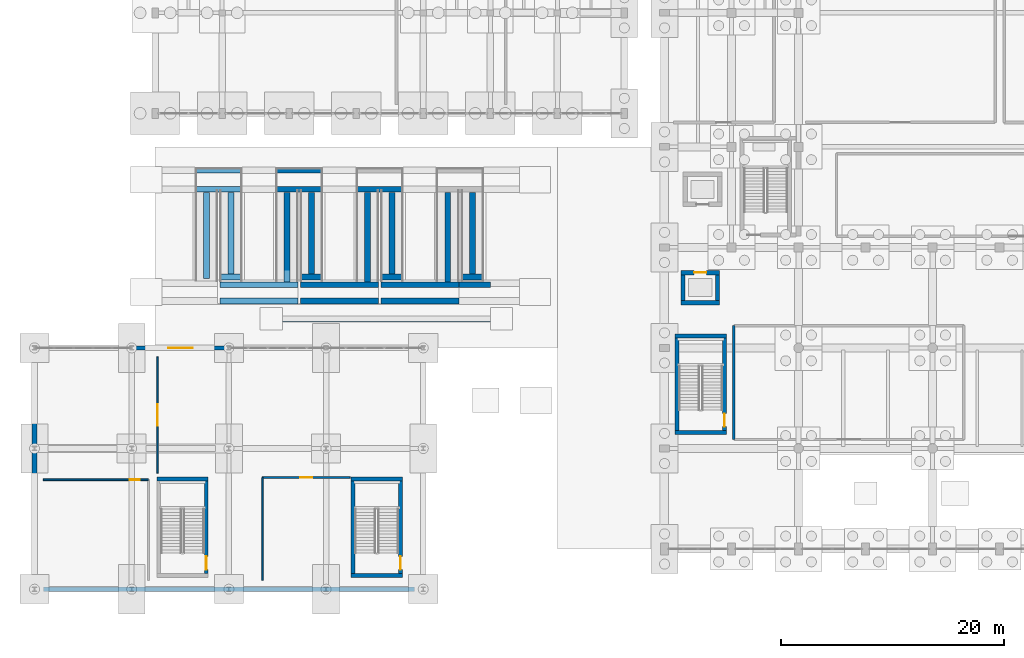
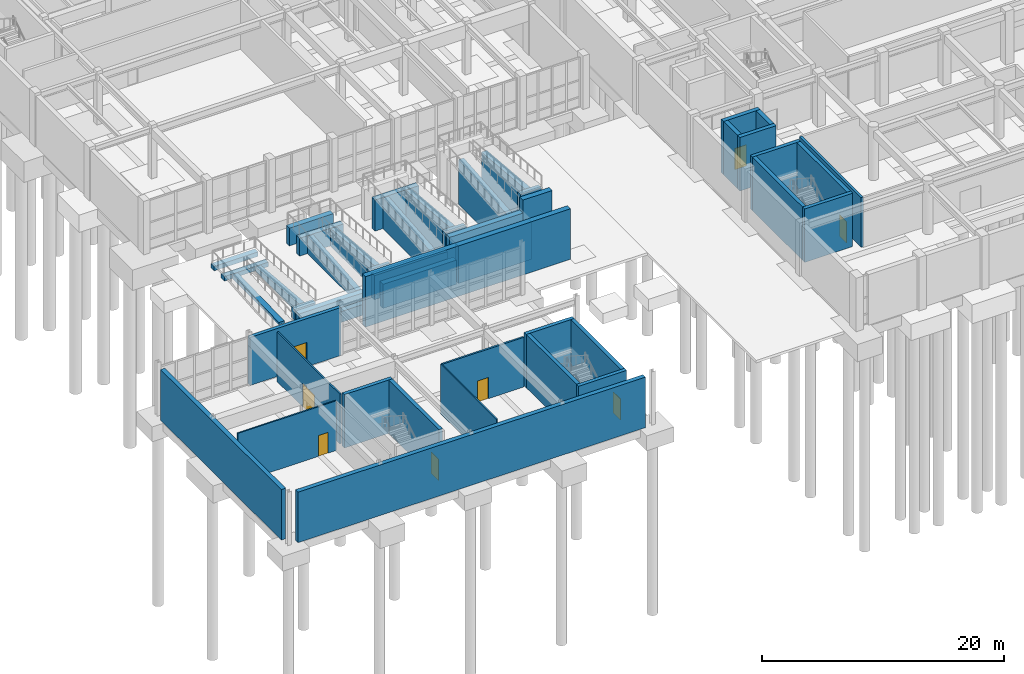
# One storey, part 47 of 69: 47 walls, 8 doors, 8 openings.
"""IFC4 building model written with IfcOpenShell, lengths in metres."""

from ifc_helpers import new_model, si_unit, direction, frame, frame_2d, origin, place, context, subcontext, project, spatial, polyline, rectangle, outline, extrude, material, layer, layer_set, type_object, element, fill, save


model = new_model("IFC4")

# Units and contexts
model_context = context("Model", 3, precision=1e-05, world=origin(), true_north=direction((0.0, 1.0)))
body_context = subcontext(model_context, "Body", "Model", "MODEL_VIEW")
ifc_project = project(units=[si_unit("LENGTHUNIT", "METRE"), si_unit("AREAUNIT", "SQUARE_METRE"), si_unit("VOLUMEUNIT", "CUBIC_METRE"), si_unit("PLANEANGLEUNIT", "RADIAN"), si_unit("MASSUNIT", "GRAM", prefix="KILO")], contexts=[model_context])

# Site, building, storey
site_placement = place(None, origin())
site = spatial("IfcSite", under=ifc_project, at=site_placement, CompositionType="ELEMENT")
building_placement = place(site_placement, origin())
building = spatial("IfcBuilding", under=site, at=building_placement, Name="Vaelkrest Opera House", CompositionType="ELEMENT")
storey_placement = place(building_placement, frame((0.0, 0.0, -5.39990234375)))
storey = spatial("IfcBuildingStorey", under=building, at=storey_placement, Name="B1", CompositionType="ELEMENT", Elevation=-5.39990234375)

# Wall, opening, door
ifc_material_1 = material(Name="American black walnut acoustic timber", Category="wood")
ifc_layer_1 = layer(ifc_material_1, 0.3349609375)
ifc_layer_set_1 = layer_set([ifc_layer_1], Name="American black walnut acoustic timber")
wall_type_1 = type_object("IfcWallType", Name="EW05", PredefinedType="STANDARD", material=ifc_layer_set_1)
wall_1_placement = place(storey_placement, frame((-77.68994140625, -37.800048828125, 0.0), z_axis=(0.0, 0.0, 1.0), x_axis=(1.0, 0.0, 0.0)))
wall_1 = element("IfcWall", 1, at=wall_1_placement, inside=storey, type_object=wall_type_1, Name="Exterior facade wall EW-V5-B1-0355", PredefinedType="STANDARD", context=body_context, shape_type="SweptSolid", body=[
    extrude(rectangle(XDim=8.679931640625, YDim=0.3349609375, at=frame_2d((4.33984375, 0.0))), origin(), (0.0, 0.0, 1.0), 4.849853515625),
])
opening_1_placement = place(wall_1_placement, frame((3.239990234375, 0.0, 0.0)))
opening_1 = element("IfcOpeningElement", 2, at=opening_1_placement, cuts=wall_1, Name="Opening BD-V5-01", PredefinedType="OPENING", context=body_context, shape_type="SweptSolid", body=[
    extrude(rectangle(XDim=2.199951171875, YDim=2.449951171875, at=frame_2d((1.10009765625, 1.22509765625))), frame((0.0, 0.177490234375, 0.0), z_axis=(0.0, -1.0, 0.0), x_axis=(1.0, 0.0, 0.0)), (0.0, 0.0, 1.0), 0.35498046875),
])
ifc_material_2 = material(Name="Dark bronze anodized aluminium", Category="aluminium")
door_type_1 = type_object("IfcDoorType", Name="EDT03", OperationType="DOUBLE_DOOR_SINGLE_SWING", PredefinedType="DOOR", material=ifc_material_2)
door_1_placement = place(opening_1_placement, origin())
door_1 = element("IfcDoor", 3, at=door_1_placement, inside=storey, type_object=door_type_1, Name="Exterior exit door BD-V5-01", OperationType="DOUBLE_DOOR_SINGLE_SWING", OverallHeight=2.449951171875, OverallWidth=2.199951171875, PredefinedType="DOOR", context=body_context, shape_type="SweptSolid", body=[
    extrude(rectangle(XDim=2.199951171875, YDim=2.449951171875, at=frame_2d((1.10009765625, 1.22509765625))), frame((0.0, 0.02490234375, 0.0), z_axis=(0.0, -1.0, 0.0), x_axis=(1.0, 0.0, 0.0)), (0.0, 0.0, 1.0), 0.050048828125),
])
fill(opening_1, door_1)

# Wall
ifc_material_3 = material(Name="Gypsum acoustic board", Category="gypsum")
ifc_layer_2 = layer(ifc_material_3, 0.1201171875)
ifc_layer_set_2 = layer_set([ifc_layer_2], Name="Gypsum acoustic board")
wall_type_2 = type_object("IfcWallType", Name="PT01", PredefinedType="PARTITIONING", material=ifc_layer_set_2)
wall_2_placement = place(storey_placement, frame((-66.0, -58.60009765625, 0.0), z_axis=(0.0, 0.0, 1.0), x_axis=(0.0, 1.0, 0.0)))
element("IfcWall", 4, at=wall_2_placement, inside=storey, type_object=wall_type_2, Name="Interior partition PT-V5-B1-0407", PredefinedType="PARTITIONING", context=body_context, shape_type="SweptSolid", body=[
    extrude(rectangle(XDim=9.2001953125, YDim=0.1201171875, at=frame_2d((4.60009765625, 0.0))), origin(), (0.0, 0.0, 1.0), 5.02001953125),
])

# Wall, opening, door
ifc_layer_3 = layer(ifc_material_3, 0.135009765625)
ifc_layer_set_3 = layer_set([ifc_layer_3], Name="Gypsum acoustic board")
wall_type_3 = type_object("IfcWallType", Name="PT02", PredefinedType="PARTITIONING", material=ifc_layer_set_3)
wall_3_placement = place(storey_placement, frame((-85.60009765625, -49.60009765625, 0.0), z_axis=(0.0, 0.0, 1.0), x_axis=(1.0, 0.0, 0.0)))
wall_3 = element("IfcWall", 5, at=wall_3_placement, inside=storey, type_object=wall_type_3, Name="Interior partition PT-V5-B1-0408", PredefinedType="PARTITIONING", context=body_context, shape_type="SweptSolid", body=[
    extrude(rectangle(XDim=9.400146484375, YDim=0.135009765625, at=frame_2d((4.7001953125, 0.0))), origin(), (0.0, 0.0, 1.0), 5.02001953125),
])
opening_2_placement = place(wall_3_placement, frame((7.717041015625, 0.0, 0.0)))
opening_2 = element("IfcOpeningElement", 6, at=opening_2_placement, cuts=wall_3, Name="Opening D171", PredefinedType="OPENING", context=body_context, shape_type="SweptSolid", body=[
    extrude(rectangle(XDim=0.89990234375, YDim=2.10009765625, at=frame_2d((0.449951171875, 1.050048828125))), frame((0.0, 0.077392578125, 0.0), z_axis=(0.0, -1.0, 0.0), x_axis=(1.0, 0.0, 0.0)), (0.0, 0.0, 1.0), 0.155029296875),
])
door_type_2 = type_object("IfcDoorType", Name="DT01", OperationType="NOTDEFINED", PredefinedType="DOOR", material=ifc_material_1)
door_2_placement = place(opening_2_placement, origin())
door_2 = element("IfcDoor", 7, at=door_2_placement, inside=storey, type_object=door_type_2, Name="Interior door D171 (Accessible Washroom)", OperationType="SINGLE_SWING_RIGHT", OverallHeight=2.10009765625, OverallWidth=0.89990234375, PredefinedType="DOOR", context=body_context, shape_type="SweptSolid", body=[
    extrude(rectangle(XDim=0.89990234375, YDim=2.10009765625, at=frame_2d((0.449951171875, 1.050048828125))), frame((0.0, 0.02490234375, 0.0), z_axis=(0.0, -1.0, 0.0), x_axis=(1.0, 0.0, 0.0)), (0.0, 0.0, 1.0), 0.050048828125),
])
fill(opening_2, door_2)

# Wall
ifc_layer_4 = layer(ifc_material_1, 0.22509765625)
ifc_layer_set_4 = layer_set([ifc_layer_4], Name="American black walnut acoustic timber")
wall_type_4 = type_object("IfcWallType", Name="PT08", PredefinedType="PARTITIONING", material=ifc_layer_set_4)
wall_4_placement = place(storey_placement, frame((-23.800048828125, -46.0, 0.0), z_axis=(0.0, 0.0, 1.0), x_axis=(0.0, 1.0, 0.0)))
element("IfcWall", 8, at=wall_4_placement, inside=storey, type_object=wall_type_4, Name="Interior partition PT-V1-B1-0008", PredefinedType="PARTITIONING", context=body_context, shape_type="SweptSolid", body=[
    extrude(rectangle(XDim=10.199951171875, YDim=0.22509765625, at=frame_2d((5.10009765625, 0.0))), origin(), (0.0, 0.0, 1.0), 5.02001953125),
])

# Wall, opening, door
ifc_layer_5 = layer(ifc_material_3, 0.14501953125)
ifc_layer_set_5 = layer_set([ifc_layer_5], Name="Gypsum acoustic board")
wall_type_5 = type_object("IfcWallType", Name="PT13", PredefinedType="PARTITIONING", material=ifc_layer_set_5)
wall_5_placement = place(storey_placement, frame((-75.39990234375, -49.0, 0.0), z_axis=(0.0, 0.0, 1.0), x_axis=(0.0, 1.0, 0.0)))
wall_5 = element("IfcWall", 9, at=wall_5_placement, inside=storey, type_object=wall_type_5, Name="Interior partition PT-V5-B1-0405", PredefinedType="PARTITIONING", context=body_context, shape_type="SweptSolid", body=[
    extrude(rectangle(XDim=10.39990234375, YDim=0.14501953125, at=frame_2d((5.199951171875, 0.0))), origin(), (0.0, 0.0, 1.0), 5.02001953125),
])
opening_3_placement = place(wall_5_placement, frame((4.239990234375, 0.0, 0.0)))
opening_3 = element("IfcOpeningElement", 10, at=opening_3_placement, cuts=wall_5, Name="Opening D169", PredefinedType="OPENING", context=body_context, shape_type="SweptSolid", body=[
    extrude(rectangle(XDim=1.919921875, YDim=2.39990234375, at=frame_2d((0.9599609375, 1.199951171875))), frame((0.0, 0.08251953125, 0.0), z_axis=(0.0, -1.0, 0.0), x_axis=(1.0, 0.0, 0.0)), (0.0, 0.0, 1.0), 0.1650390625),
])
door_type_3 = type_object("IfcDoorType", Name="DT25", OperationType="DOUBLE_DOOR_SINGLE_SWING", PredefinedType="DOOR", material=ifc_material_1)
door_3_placement = place(opening_3_placement, origin())
door_3 = element("IfcDoor", 11, at=door_3_placement, inside=storey, type_object=door_type_3, Name="Interior door D169 (Metro Concourse Foyer)", OperationType="DOUBLE_DOOR_SINGLE_SWING", OverallHeight=2.39990234375, OverallWidth=1.919921875, PredefinedType="DOOR", context=body_context, shape_type="SweptSolid", body=[
    extrude(rectangle(XDim=1.919921875, YDim=2.39990234375, at=frame_2d((0.9599609375, 1.199951171875))), frame((0.0, 0.02490234375, 0.0), z_axis=(0.0, -1.0, 0.0), x_axis=(1.0, 0.0, 0.0)), (0.0, 0.0, 1.0), 0.050048828125),
])
fill(opening_3, door_3)

ifc_layer_6 = layer(ifc_material_1, 0.175048828125)
ifc_layer_set_6 = layer_set([ifc_layer_6], Name="American black walnut acoustic timber")
wall_type_6 = type_object("IfcWallType", Name="PT14", PredefinedType="PARTITIONING", material=ifc_layer_set_6)
wall_6_placement = place(storey_placement, frame((-66.0, -49.39990234375, 0.0), z_axis=(0.0, 0.0, 1.0), x_axis=(1.0, 0.0, 0.0)))
wall_6 = element("IfcWall", 12, at=wall_6_placement, inside=storey, type_object=wall_type_6, Name="Interior partition PT-V5-B1-0406", PredefinedType="PARTITIONING", context=body_context, shape_type="SweptSolid", body=[
    extrude(rectangle(XDim=7.85009765625, YDim=0.175048828125, at=frame_2d((3.925048828125, 0.0))), origin(), (0.0, 0.0, 1.0), 5.02001953125),
])
opening_4_placement = place(wall_6_placement, frame((3.39501953125, 0.0, 0.0)))
opening_4 = element("IfcOpeningElement", 13, at=opening_4_placement, cuts=wall_6, Name="Opening D170", PredefinedType="OPENING", context=body_context, shape_type="SweptSolid", body=[
    extrude(rectangle(XDim=1.06005859375, YDim=2.14990234375, at=frame_2d((0.530029296875, 1.074951171875))), frame((0.0, 0.097412109375, 0.0), z_axis=(0.0, -1.0, 0.0), x_axis=(1.0, 0.0, 0.0)), (0.0, 0.0, 1.0), 0.195068359375),
])
door_type_4 = type_object("IfcDoorType", Name="DT05", OperationType="NOTDEFINED", PredefinedType="DOOR", material=ifc_material_1)
door_4_placement = place(opening_4_placement, origin())
door_4 = element("IfcDoor", 14, at=door_4_placement, inside=storey, type_object=door_type_4, Name="Interior door D170 (Box Office)", OperationType="SINGLE_SWING_LEFT", OverallHeight=2.14990234375, OverallWidth=1.06005859375, PredefinedType="DOOR", context=body_context, shape_type="SweptSolid", body=[
    extrude(rectangle(XDim=1.06005859375, YDim=2.14990234375, at=frame_2d((0.530029296875, 1.074951171875))), frame((0.0, 0.02490234375, 0.0), z_axis=(0.0, -1.0, 0.0), x_axis=(1.0, 0.0, 0.0)), (0.0, 0.0, 1.0), 0.050048828125),
])
fill(opening_4, door_4)

# Walls
ifc_material_4 = material(Name="Concrete C40/50", Category="concrete")
ifc_layer_7 = layer(ifc_material_4, 0.419921875)
ifc_layer_set_7 = layer_set([ifc_layer_7], Name="Concrete C40/50")
wall_type_7 = type_object("IfcWallType", Name="RW01", PredefinedType="USERDEFINED", material=ifc_layer_set_7)
wall_7_placement = place(storey_placement, frame((-86.39990234375, -58.60009765625, 0.0), z_axis=(0.0, 0.0, 1.0), x_axis=(0.0, 1.0, 0.0)))
element("IfcWall", 15, at=wall_7_placement, inside=storey, type_object=wall_type_7, Name="Retaining wall RW-V5-W", ObjectType="RETAINING WALL", PredefinedType="USERDEFINED", context=body_context, shape_type="SweptSolid", body=[
    extrude(rectangle(XDim=20.0, YDim=0.419921875, at=frame_2d((10.0, 0.0))), origin(), (0.0, 0.0, 1.0), 5.10986328125),
])
wall_8_placement = place(storey_placement, frame((-85.60009765625, -59.39990234375, 0.0), z_axis=(0.0, 0.0, 1.0), x_axis=(1.0, 0.0, 0.0)))
element("IfcWall", 16, at=wall_8_placement, inside=storey, type_object=wall_type_7, Name="Retaining wall RW-V5-S", ObjectType="RETAINING WALL", PredefinedType="USERDEFINED", context=body_context, shape_type="SweptSolid", body=[
    extrude(rectangle(XDim=33.2001953125, YDim=0.419921875, at=frame_2d((16.60009765625, 0.0))), origin(), (0.0, 0.0, 1.0), 5.10986328125),
])
ifc_material_5 = material(Name="Concrete C50/60", Category="concrete")
ifc_layer_8 = layer(ifc_material_5, 0.35009765625)
ifc_layer_set_8 = layer_set([ifc_layer_8], Name="Concrete C50/60")
wall_type_8 = type_object("IfcWallType", Name="SW01", PredefinedType="SHEAR", material=ifc_layer_set_8)
wall_9_placement = place(storey_placement, frame((-24.449951171875, -45.375, 0.0), z_axis=(0.0, 0.0, 1.0), x_axis=(-1.0, 0.0, 0.0)))
element("IfcWall", 17, at=wall_9_placement, inside=storey, type_object=wall_type_8, Name="Stair core ST03 wall B1 S", PredefinedType="SHEAR", context=body_context, shape_type="SweptSolid", body=[
    extrude(rectangle(XDim=4.60009765625, YDim=0.35009765625, at=frame_2d((2.300048828125, 0.0))), origin(), (0.0, 0.0, 1.0), 5.39990234375),
])
wall_10_placement = place(storey_placement, frame((-28.875, -45.199951171875, 0.0), z_axis=(0.0, 0.0, 1.0), x_axis=(0.0, 1.0, 0.0)))
element("IfcWall", 18, at=wall_10_placement, inside=storey, type_object=wall_type_8, Name="Stair core ST03 wall B1 W", PredefinedType="SHEAR", context=body_context, shape_type="SweptSolid", body=[
    extrude(rectangle(XDim=8.300048828125, YDim=0.35009765625, at=frame_2d((4.14990234375, 0.0))), origin(), (0.0, 0.0, 1.0), 5.39990234375),
])
wall_11_placement = place(storey_placement, frame((-29.050048828125, -36.72509765625, 0.0), z_axis=(0.0, 0.0, 1.0), x_axis=(1.0, 0.0, 0.0)))
element("IfcWall", 19, at=wall_11_placement, inside=storey, type_object=wall_type_8, Name="Stair core ST03 wall B1 N", PredefinedType="SHEAR", context=body_context, shape_type="SweptSolid", body=[
    extrude(rectangle(XDim=4.60009765625, YDim=0.35009765625, at=frame_2d((2.300048828125, 0.0))), origin(), (0.0, 0.0, 1.0), 5.39990234375),
])

# Wall, opening, door
wall_12_placement = place(storey_placement, frame((-24.625, -36.89990234375, 0.0), z_axis=(0.0, 0.0, 1.0), x_axis=(0.0, -1.0, 0.0)))
wall_12 = element("IfcWall", 20, at=wall_12_placement, inside=storey, type_object=wall_type_8, Name="Stair core ST03 wall B1 E", PredefinedType="SHEAR", context=body_context, shape_type="SweptSolid", body=[
    extrude(rectangle(XDim=8.300048828125, YDim=0.35009765625, at=frame_2d((4.14990234375, 0.0))), origin(), (0.0, 0.0, 1.0), 5.39990234375),
])
opening_5_placement = place(wall_12_placement, frame((6.77001953125, 0.0, 0.0)))
opening_5 = element("IfcOpeningElement", 21, at=opening_5_placement, cuts=wall_12, Name="Opening SD-ST03-B1", PredefinedType="OPENING", context=body_context, shape_type="SweptSolid", body=[
    extrude(rectangle(XDim=1.179931640625, YDim=2.14990234375, at=frame_2d((0.58984375, 1.074951171875))), frame((0.0, 0.18505859375, 0.0), z_axis=(0.0, -1.0, 0.0), x_axis=(1.0, 0.0, 0.0)), (0.0, 0.0, 1.0), 0.3701171875),
])
door_type_5 = type_object("IfcDoorType", Name="DT07", OperationType="NOTDEFINED", PredefinedType="DOOR", material=ifc_material_1)
door_5_placement = place(opening_5_placement, origin())
door_5 = element("IfcDoor", 22, at=door_5_placement, inside=storey, type_object=door_type_5, Name="Protected stair door SD-ST03-B1", OperationType="SINGLE_SWING_RIGHT", OverallHeight=2.14990234375, OverallWidth=1.179931640625, PredefinedType="DOOR", context=body_context, shape_type="SweptSolid", body=[
    extrude(rectangle(XDim=1.179931640625, YDim=2.14990234375, at=frame_2d((0.58984375, 1.074951171875))), frame((0.0, 0.02490234375, 0.0), z_axis=(0.0, -1.0, 0.0), x_axis=(1.0, 0.0, 0.0)), (0.0, 0.0, 1.0), 0.050048828125),
])
fill(opening_5, door_5)

# Wall
wall_13_placement = place(storey_placement, frame((-75.449951171875, -49.52490234375, 0.0), z_axis=(0.0, 0.0, 1.0), x_axis=(1.0, 0.0, 0.0)))
element("IfcWall", 23, at=wall_13_placement, inside=storey, type_object=wall_type_8, Name="Stair core ST11 wall B1 N", PredefinedType="SHEAR", context=body_context, shape_type="SweptSolid", body=[
    extrude(rectangle(XDim=4.599853515625, YDim=0.35009765625, at=frame_2d((2.2998046875, 0.0))), origin(), (0.0, 0.0, 1.0), 5.39990234375),
])

# Wall, opening, door
wall_14_placement = place(storey_placement, frame((-71.02490234375, -49.699951171875, 0.0), z_axis=(0.0, 0.0, 1.0), x_axis=(0.0, -1.0, 0.0)))
wall_14 = element("IfcWall", 24, at=wall_14_placement, inside=storey, type_object=wall_type_8, Name="Stair core ST11 wall B1 E", PredefinedType="SHEAR", context=body_context, shape_type="SweptSolid", body=[
    extrude(rectangle(XDim=8.300048828125, YDim=0.35009765625, at=frame_2d((4.14990234375, 0.0))), origin(), (0.0, 0.0, 1.0), 5.39990234375),
])
opening_6_placement = place(wall_14_placement, frame((6.77001953125, 0.0, 0.0)))
opening_6 = element("IfcOpeningElement", 25, at=opening_6_placement, cuts=wall_14, Name="Opening SD-ST11-B1", PredefinedType="OPENING", context=body_context, shape_type="SweptSolid", body=[
    extrude(rectangle(XDim=1.179931640625, YDim=2.14990234375, at=frame_2d((0.58984375, 1.074951171875))), frame((0.0, 0.18505859375, 0.0), z_axis=(0.0, -1.0, 0.0), x_axis=(1.0, 0.0, 0.0)), (0.0, 0.0, 1.0), 0.3701171875),
])
door_6_placement = place(opening_6_placement, origin())
door_6 = element("IfcDoor", 26, at=door_6_placement, inside=storey, type_object=door_type_5, Name="Protected stair door SD-ST11-B1", OperationType="SINGLE_SWING_RIGHT", OverallHeight=2.14990234375, OverallWidth=1.179931640625, PredefinedType="DOOR", context=body_context, shape_type="SweptSolid", body=[
    extrude(rectangle(XDim=1.179931640625, YDim=2.14990234375, at=frame_2d((0.58984375, 1.074951171875))), frame((0.0, 0.02490234375, 0.0), z_axis=(0.0, -1.0, 0.0), x_axis=(1.0, 0.0, 0.0)), (0.0, 0.0, 1.0), 0.050048828125),
])
fill(opening_6, door_6)

# Walls
wall_15_placement = place(storey_placement, frame((-53.449951171875, -58.175048828125, 0.0), z_axis=(0.0, 0.0, 1.0), x_axis=(-1.0, 0.0, 0.0)))
element("IfcWall", 27, at=wall_15_placement, inside=storey, type_object=wall_type_8, Name="Stair core ST12 wall B1 S", PredefinedType="SHEAR", context=body_context, shape_type="SweptSolid", body=[
    extrude(rectangle(XDim=4.60009765625, YDim=0.35009765625, at=frame_2d((2.300048828125, 0.0))), origin(), (0.0, 0.0, 1.0), 5.39990234375),
])
wall_16_placement = place(storey_placement, frame((-57.875, -58.0, 0.0), z_axis=(0.0, 0.0, 1.0), x_axis=(0.0, 1.0, 0.0)))
element("IfcWall", 28, at=wall_16_placement, inside=storey, type_object=wall_type_8, Name="Stair core ST12 wall B1 W", PredefinedType="SHEAR", context=body_context, shape_type="SweptSolid", body=[
    extrude(rectangle(XDim=8.300048828125, YDim=0.35009765625, at=frame_2d((4.14990234375, 0.0))), origin(), (0.0, 0.0, 1.0), 5.39990234375),
])
wall_17_placement = place(storey_placement, frame((-58.050048828125, -49.52490234375, 0.0), z_axis=(0.0, 0.0, 1.0), x_axis=(1.0, 0.0, 0.0)))
element("IfcWall", 29, at=wall_17_placement, inside=storey, type_object=wall_type_8, Name="Stair core ST12 wall B1 N", PredefinedType="SHEAR", context=body_context, shape_type="SweptSolid", body=[
    extrude(rectangle(XDim=4.60009765625, YDim=0.35009765625, at=frame_2d((2.300048828125, 0.0))), origin(), (0.0, 0.0, 1.0), 5.39990234375),
])

# Wall, opening, door
wall_18_placement = place(storey_placement, frame((-53.625, -49.699951171875, 0.0), z_axis=(0.0, 0.0, 1.0), x_axis=(0.0, -1.0, 0.0)))
wall_18 = element("IfcWall", 30, at=wall_18_placement, inside=storey, type_object=wall_type_8, Name="Stair core ST12 wall B1 E", PredefinedType="SHEAR", context=body_context, shape_type="SweptSolid", body=[
    extrude(rectangle(XDim=8.300048828125, YDim=0.35009765625, at=frame_2d((4.14990234375, 0.0))), origin(), (0.0, 0.0, 1.0), 5.39990234375),
])
opening_7_placement = place(wall_18_placement, frame((6.77001953125, 0.0, 0.0)))
opening_7 = element("IfcOpeningElement", 31, at=opening_7_placement, cuts=wall_18, Name="Opening SD-ST12-B1", PredefinedType="OPENING", context=body_context, shape_type="SweptSolid", body=[
    extrude(rectangle(XDim=1.179931640625, YDim=2.14990234375, at=frame_2d((0.58984375, 1.074951171875))), frame((0.0, 0.18505859375, 0.0), z_axis=(0.0, -1.0, 0.0), x_axis=(1.0, 0.0, 0.0)), (0.0, 0.0, 1.0), 0.3701171875),
])
door_7_placement = place(opening_7_placement, origin())
door_7 = element("IfcDoor", 32, at=door_7_placement, inside=storey, type_object=door_type_5, Name="Protected stair door SD-ST12-B1", OperationType="SINGLE_SWING_LEFT", OverallHeight=2.14990234375, OverallWidth=1.179931640625, PredefinedType="DOOR", context=body_context, shape_type="SweptSolid", body=[
    extrude(rectangle(XDim=1.179931640625, YDim=2.14990234375, at=frame_2d((0.58984375, 1.074951171875))), frame((0.0, 0.02490234375, 0.0), z_axis=(0.0, -1.0, 0.0), x_axis=(1.0, 0.0, 0.0)), (0.0, 0.0, 1.0), 0.050048828125),
])
fill(opening_7, door_7)

# Wall
ifc_layer_9 = layer(ifc_material_5, 0.389892578125)
ifc_layer_set_9 = layer_set([ifc_layer_9], Name="Concrete C50/60")
wall_type_9 = type_object("IfcWallType", Name="SW02", PredefinedType="SHEAR", material=ifc_layer_set_9)
wall_19_placement = place(storey_placement, frame((-25.06005859375, -33.7451171875, 0.0), z_axis=(0.0, 0.0, 1.0), x_axis=(-1.0, 0.0, 0.0)))
element("IfcWall", 33, at=wall_19_placement, inside=storey, type_object=wall_type_9, Name="Lift shaft LP03 wall B1 S", PredefinedType="SHEAR", context=body_context, shape_type="SweptSolid", body=[
    extrude(rectangle(XDim=3.47998046875, YDim=0.389892578125, at=frame_2d((1.739990234375, 0.0))), origin(), (0.0, 0.0, 1.0), 5.39990234375),
])

# Wall, opening, door
wall_20_placement = place(storey_placement, frame((-28.5400390625, -31.054931640625, 0.0), z_axis=(0.0, 0.0, 1.0), x_axis=(1.0, 0.0, 0.0)))
wall_20 = element("IfcWall", 34, at=wall_20_placement, inside=storey, type_object=wall_type_9, Name="Lift shaft LP03 wall B1 N", PredefinedType="SHEAR", context=body_context, shape_type="SweptSolid", body=[
    extrude(rectangle(XDim=3.47998046875, YDim=0.389892578125, at=frame_2d((1.739990234375, 0.0))), origin(), (0.0, 0.0, 1.0), 5.39990234375),
])
opening_8_placement = place(wall_20_placement, frame((1.18994140625, 0.0, 0.0)))
opening_8 = element("IfcOpeningElement", 35, at=opening_8_placement, cuts=wall_20, Name="Opening LD-LP03-B1", PredefinedType="OPENING", context=body_context, shape_type="SweptSolid", body=[
    extrude(rectangle(XDim=1.10009765625, YDim=2.14990234375, at=frame_2d((0.550048828125, 1.074951171875))), frame((0.0, 0.204833984375, 0.0), z_axis=(0.0, -1.0, 0.0), x_axis=(1.0, 0.0, 0.0)), (0.0, 0.0, 1.0), 0.409912109375),
])
door_type_6 = type_object("IfcDoorType", Name="LDT01", OperationType="SLIDING_TO_LEFT", PredefinedType="DOOR", material=ifc_material_2)
door_8_placement = place(opening_8_placement, origin())
door_8 = element("IfcDoor", 36, at=door_8_placement, inside=storey, type_object=door_type_6, Name="Lift landing sliding door LD-LP03-B1", OperationType="SLIDING_TO_LEFT", OverallHeight=2.14990234375, OverallWidth=1.10009765625, PredefinedType="DOOR", context=body_context, shape_type="SweptSolid", body=[
    extrude(rectangle(XDim=1.10009765625, YDim=2.14990234375, at=frame_2d((0.550048828125, 1.074951171875))), frame((0.0, 0.02490234375, 0.0), z_axis=(0.0, -1.0, 0.0), x_axis=(1.0, 0.0, 0.0)), (0.0, 0.0, 1.0), 0.050048828125),
])
fill(opening_8, door_8)

# Walls
for number, where, z_axis, x_axis, name in (
    (37, (-28.344970703125, -33.550048828125, 0.0), (0.0, 0.0, 1.0), (0.0, 1.0, 0.0), "Lift shaft LP03 wall B1 W"),
    (38, (-25.2548828125, -31.25, 0.0), (0.0, 0.0, 1.0), (0.0, -1.0, 0.0), "Lift shaft LP03 wall B1 E"),
):
    element("IfcWall", number, at=place(storey_placement, frame(where, z_axis=z_axis, x_axis=x_axis)), inside=storey, type_object=wall_type_9, Name=name, PredefinedType="SHEAR", context=body_context, shape_type="SweptSolid", body=[
        extrude(rectangle(XDim=2.300048828125, YDim=0.389892578125, at=frame_2d((1.14990234375, 0.0))), origin(), (0.0, 0.0, 1.0), 5.39990234375),
    ])
ifc_layer_10 = layer(ifc_material_5, 0.52001953125)
ifc_layer_set_10 = layer_set([ifc_layer_10], Name="Concrete C50/60")
wall_type_10 = type_object("IfcWallType", Name="SW04", PredefinedType="SHEAR", material=ifc_layer_set_10)
wall_21_placement = place(storey_placement, frame((-48.39990234375, -32.14990234375, 0.0), z_axis=(0.0, 0.0, 1.0), x_axis=(1.0, 0.0, 0.0)))
element("IfcWall", 39, at=wall_21_placement, inside=storey, type_object=wall_type_10, Name="Ramp arrival north bearing wall", PredefinedType="SHEAR", context=body_context, shape_type="SweptSolid", body=[
    extrude(rectangle(XDim=2.7998046875, YDim=0.52001953125, at=frame_2d((1.39990234375, 0.0))), origin(), (0.0, 0.0, 1.0), 5.10498046875),
])
wall_22_placement = place(storey_placement, frame((-65.199951171875, -35.199951171875, 0.0), z_axis=(0.0, 0.0, 1.0), x_axis=(1.0, 0.0, 0.0)))
element("IfcWall", 40, at=wall_22_placement, inside=storey, type_object=wall_type_10, Name="Ramp arrival south bearing wall", PredefinedType="SHEAR", context=body_context, shape_type="SweptSolid", body=[
    extrude(rectangle(XDim=19.599853515625, YDim=0.52001953125, at=frame_2d((9.7998046875, 0.0))), origin(), (0.0, 0.0, 1.0), 5.10498046875),
])
wall_23_placement = place(storey_placement, frame((-69.800048828125, -31.449951171875, 0.0), z_axis=(0.0, 0.0, 1.0), x_axis=(1.0, 0.0, 0.0)))
element("IfcWall", 41, at=wall_23_placement, inside=storey, type_object=wall_type_10, Name="Ramp upper south support wall RMP-FC-1", PredefinedType="SHEAR", context=body_context, shape_type="SweptSolid", body=[
    extrude(rectangle(XDim=2.0, YDim=0.52001953125, at=frame_2d((1.0, 0.0))), origin(), (0.0, 0.0, 1.0), 1.114990234375),
])
for number, where, z_axis, x_axis, name in (
    (42, (-72.0, -23.60009765625, 0.0), (0.0, 0.0, 1.0), (1.0, 0.0, 0.0), "Ramp mid north support wall RMP-FC-1"),
    (43, (-72.0, -21.89990234375, 0.0), (0.0, 0.0, 1.0), (1.0, 0.0, 0.0), "Ramp mid far support wall RMP-FC-1"),
):
    element("IfcWall", number, at=place(storey_placement, frame(where, z_axis=z_axis, x_axis=x_axis)), inside=storey, type_object=wall_type_10, Name=name, PredefinedType="SHEAR", context=body_context, shape_type="SweptSolid", body=[
        extrude(rectangle(XDim=4.199951171875, YDim=0.52001953125, at=frame_2d((2.10009765625, 0.0))), origin(), (0.0, 0.0, 1.0), 0.449951171875),
    ])
wall_24_placement = place(storey_placement, frame((-71.0, -31.60009765625, 0.0), z_axis=(0.0, 0.0, 1.0), x_axis=(0.0, 1.0, 0.0)))
element("IfcWall", 44, at=wall_24_placement, inside=storey, type_object=wall_type_10, Name="Ramp flight 1 sloped stem wall RMP-FC-1", PredefinedType="SHEAR", context=body_context, shape_type="SweptSolid", body=[
    extrude(outline(polyline([(0.0, 0.0), (7.7001953125, 0.0), (7.699951171875, 0.43994140625), (0.0, 0.25), (0.0, 0.0)])), frame((0.0, 0.260009765625, 0.0), z_axis=(0.0, -1.0, 0.0), x_axis=(1.0, 0.0, 0.0)), (0.0, 0.0, 1.0), 0.52001953125),
])
wall_25_placement = place(storey_placement, frame((-68.800048828125, -23.89990234375, 0.0), z_axis=(0.0, 0.0, 1.0), x_axis=(0.0, -1.0, 0.0)))
element("IfcWall", 45, at=wall_25_placement, inside=storey, type_object=wall_type_10, Name="Ramp flight 2 sloped stem wall RMP-FC-1", PredefinedType="SHEAR", context=body_context, shape_type="SweptSolid", body=[
    extrude(outline(polyline([(0.0, 0.0), (7.7001953125, 0.0), (7.699951171875, 1.114990234375), (0.0, 0.43994140625), (0.0, 0.0)])), frame((0.0, 0.260009765625, 0.0), z_axis=(0.0, -1.0, 0.0), x_axis=(1.0, 0.0, 0.0)), (0.0, 0.0, 1.0), 0.52001953125),
])
for number, where, z_axis, x_axis, name in (
    (46, (-69.800048828125, -32.14990234375, 0.0), (0.0, 0.0, 1.0), (1.0, 0.0, 0.0), "Ramp lower south support wall RMP-FC-2"),
    (47, (-69.800048828125, -33.60009765625, 0.0), (0.0, 0.0, 1.0), (1.0, 0.0, 0.0), "Ramp lower landing back wall RMP-FC-2"),
):
    element("IfcWall", number, at=place(storey_placement, frame(where, z_axis=z_axis, x_axis=x_axis)), inside=storey, type_object=wall_type_10, Name=name, PredefinedType="SHEAR", context=body_context, shape_type="SweptSolid", body=[
        extrude(rectangle(XDim=7.0, YDim=0.52001953125, at=frame_2d((3.5, 0.0))), origin(), (0.0, 0.0, 1.0), 1.08984375),
    ])
wall_26_placement = place(storey_placement, frame((-62.60009765625, -31.449951171875, 0.0), z_axis=(0.0, 0.0, 1.0), x_axis=(1.0, 0.0, 0.0)))
element("IfcWall", 48, at=wall_26_placement, inside=storey, type_object=wall_type_10, Name="Ramp upper south support wall RMP-FC-2", PredefinedType="SHEAR", context=body_context, shape_type="SweptSolid", body=[
    extrude(rectangle(XDim=2.0, YDim=0.52001953125, at=frame_2d((1.0, 0.0))), origin(), (0.0, 0.0, 1.0), 2.46484375),
])
for number, where, z_axis, x_axis, name in (
    (49, (-64.800048828125, -23.60009765625, 0.0), (0.0, 0.0, 1.0), (1.0, 0.0, 0.0), "Ramp mid north support wall RMP-FC-2"),
    (50, (-64.800048828125, -21.89990234375, 0.0), (0.0, 0.0, 1.0), (1.0, 0.0, 0.0), "Ramp mid far support wall RMP-FC-2"),
):
    element("IfcWall", number, at=place(storey_placement, frame(where, z_axis=z_axis, x_axis=x_axis)), inside=storey, type_object=wall_type_10, Name=name, PredefinedType="SHEAR", context=body_context, shape_type="SweptSolid", body=[
        extrude(rectangle(XDim=4.199951171875, YDim=0.52001953125, at=frame_2d((2.10009765625, 0.0))), origin(), (0.0, 0.0, 1.0), 1.7998046875),
    ])
wall_27_placement = place(storey_placement, frame((-63.800048828125, -31.889892578125, 0.0), z_axis=(0.0, 0.0, 1.0), x_axis=(0.0, 1.0, 0.0)))
element("IfcWall", 51, at=wall_27_placement, inside=storey, type_object=wall_type_10, Name="Ramp flight 1 sloped stem wall RMP-FC-2", PredefinedType="SHEAR", context=body_context, shape_type="SweptSolid", body=[
    extrude(outline(polyline([(0.0, 0.0), (7.989990234375, 0.0), (7.989990234375, 1.789794921875), (0.0, 1.114990234375), (0.0, 0.0)])), frame((0.0, 0.260009765625, 0.0), z_axis=(0.0, -1.0, 0.0), x_axis=(1.0, 0.0, 0.0)), (0.0, 0.0, 1.0), 0.52001953125),
])
wall_28_placement = place(storey_placement, frame((-61.60009765625, -23.89990234375, 0.0), z_axis=(0.0, 0.0, 1.0), x_axis=(0.0, -1.0, 0.0)))
element("IfcWall", 52, at=wall_28_placement, inside=storey, type_object=wall_type_10, Name="Ramp flight 2 sloped stem wall RMP-FC-2", PredefinedType="SHEAR", context=body_context, shape_type="SweptSolid", body=[
    extrude(outline(polyline([(0.0, 0.0), (7.7001953125, 0.0), (7.699951171875, 2.46484375), (0.0, 1.789794921875), (0.0, 0.0)])), frame((0.0, 0.260009765625, 0.0), z_axis=(0.0, -1.0, 0.0), x_axis=(1.0, 0.0, 0.0)), (0.0, 0.0, 1.0), 0.52001953125),
])
for number, where, z_axis, x_axis, name in (
    (53, (-62.60009765625, -32.14990234375, 0.0), (0.0, 0.0, 1.0), (1.0, 0.0, 0.0), "Ramp lower south support wall RMP-FC-3"),
    (54, (-62.60009765625, -33.60009765625, 0.0), (0.0, 0.0, 1.0), (1.0, 0.0, 0.0), "Ramp lower landing back wall RMP-FC-3"),
):
    element("IfcWall", number, at=place(storey_placement, frame(where, z_axis=z_axis, x_axis=x_axis)), inside=storey, type_object=wall_type_10, Name=name, PredefinedType="SHEAR", context=body_context, shape_type="SweptSolid", body=[
        extrude(rectangle(XDim=7.0, YDim=0.52001953125, at=frame_2d((3.5, 0.0))), origin(), (0.0, 0.0, 1.0), 2.43994140625),
    ])
wall_29_placement = place(storey_placement, frame((-55.39990234375, -31.449951171875, 0.0), z_axis=(0.0, 0.0, 1.0), x_axis=(1.0, 0.0, 0.0)))
element("IfcWall", 55, at=wall_29_placement, inside=storey, type_object=wall_type_10, Name="Ramp upper south support wall RMP-FC-3", PredefinedType="SHEAR", context=body_context, shape_type="SweptSolid", body=[
    extrude(rectangle(XDim=2.0, YDim=0.52001953125, at=frame_2d((1.0, 0.0))), origin(), (0.0, 0.0, 1.0), 3.81494140625),
])
wall_30_placement = place(storey_placement, frame((-57.60009765625, -23.60009765625, 0.0), z_axis=(0.0, 0.0, 1.0), x_axis=(1.0, 0.0, 0.0)))
element("IfcWall", 56, at=wall_30_placement, inside=storey, type_object=wall_type_10, Name="Ramp mid north support wall RMP-FC-3", PredefinedType="SHEAR", context=body_context, shape_type="SweptSolid", body=[
    extrude(rectangle(XDim=4.2001953125, YDim=0.52001953125, at=frame_2d((2.10009765625, 0.0))), origin(), (0.0, 0.0, 1.0), 3.14990234375),
])
wall_31_placement = place(storey_placement, frame((-56.60009765625, -31.889892578125, 0.0), z_axis=(0.0, 0.0, 1.0), x_axis=(0.0, 1.0, 0.0)))
element("IfcWall", 57, at=wall_31_placement, inside=storey, type_object=wall_type_10, Name="Ramp flight 1 sloped stem wall RMP-FC-3", PredefinedType="SHEAR", context=body_context, shape_type="SweptSolid", body=[
    extrude(outline(polyline([(0.0, 0.0), (7.989990234375, 0.0), (7.989990234375, 3.139892578125), (0.0, 2.46484375), (0.0, 0.0)])), frame((0.0, 0.260009765625, 0.0), z_axis=(0.0, -1.0, 0.0), x_axis=(1.0, 0.0, 0.0)), (0.0, 0.0, 1.0), 0.52001953125),
])
wall_32_placement = place(storey_placement, frame((-54.39990234375, -23.89990234375, 0.0), z_axis=(0.0, 0.0, 1.0), x_axis=(0.0, -1.0, 0.0)))
element("IfcWall", 58, at=wall_32_placement, inside=storey, type_object=wall_type_10, Name="Ramp flight 2 sloped stem wall RMP-FC-3", PredefinedType="SHEAR", context=body_context, shape_type="SweptSolid", body=[
    extrude(outline(polyline([(0.0, 0.0), (7.7001953125, 0.0), (7.699951171875, 3.81494140625), (0.0, 3.139892578125), (0.0, 0.0)])), frame((0.0, 0.260009765625, 0.0), z_axis=(0.0, -1.0, 0.0), x_axis=(1.0, 0.0, 0.0)), (0.0, 0.0, 1.0), 0.52001953125),
])
for number, where, z_axis, x_axis, name in (
    (59, (-55.39990234375, -32.14990234375, 0.0), (0.0, 0.0, 1.0), (1.0, 0.0, 0.0), "Ramp lower south support wall RMP-FC-4"),
    (60, (-55.39990234375, -33.60009765625, 0.0), (0.0, 0.0, 1.0), (1.0, 0.0, 0.0), "Ramp lower landing back wall RMP-FC-4"),
):
    element("IfcWall", number, at=place(storey_placement, frame(where, z_axis=z_axis, x_axis=x_axis)), inside=storey, type_object=wall_type_10, Name=name, PredefinedType="SHEAR", context=body_context, shape_type="SweptSolid", body=[
        extrude(rectangle(XDim=7.0, YDim=0.52001953125, at=frame_2d((3.5, 0.0))), origin(), (0.0, 0.0, 1.0), 3.789794921875),
    ])
wall_33_placement = place(storey_placement, frame((-48.199951171875, -31.449951171875, 0.0), z_axis=(0.0, 0.0, 1.0), x_axis=(1.0, 0.0, 0.0)))
element("IfcWall", 61, at=wall_33_placement, inside=storey, type_object=wall_type_10, Name="Ramp upper south support wall RMP-FC-4", PredefinedType="SHEAR", context=body_context, shape_type="SweptSolid", body=[
    extrude(rectangle(XDim=2.0, YDim=0.52001953125, at=frame_2d((1.0, 0.0))), origin(), (0.0, 0.0, 1.0), 5.164794921875),
])
wall_34_placement = place(storey_placement, frame((-49.39990234375, -31.889892578125, 0.0), z_axis=(0.0, 0.0, 1.0), x_axis=(0.0, 1.0, 0.0)))
element("IfcWall", 62, at=wall_34_placement, inside=storey, type_object=wall_type_10, Name="Ramp flight 1 sloped stem wall RMP-FC-4", PredefinedType="SHEAR", context=body_context, shape_type="SweptSolid", body=[
    extrude(outline(polyline([(0.0, 0.0), (7.989990234375, 0.0), (7.989990234375, 4.489990234375), (0.0, 3.81494140625), (0.0, 0.0)])), frame((0.0, 0.260009765625, 0.0), z_axis=(0.0, -1.0, 0.0), x_axis=(1.0, 0.0, 0.0)), (0.0, 0.0, 1.0), 0.52001953125),
])
wall_35_placement = place(storey_placement, frame((-47.199951171875, -23.89990234375, 0.0), z_axis=(0.0, 0.0, 1.0), x_axis=(0.0, -1.0, 0.0)))
element("IfcWall", 63, at=wall_35_placement, inside=storey, type_object=wall_type_10, Name="Ramp flight 2 sloped stem wall RMP-FC-4", PredefinedType="SHEAR", context=body_context, shape_type="SweptSolid", body=[
    extrude(outline(polyline([(0.0, 0.0), (7.7001953125, 0.0), (7.699951171875, 5.164794921875), (0.0, 4.489990234375), (0.0, 0.0)])), frame((0.0, 0.260009765625, 0.0), z_axis=(0.0, -1.0, 0.0), x_axis=(1.0, 0.0, 0.0)), (0.0, 0.0, 1.0), 0.52001953125),
])

save(model, "model.ifc")
